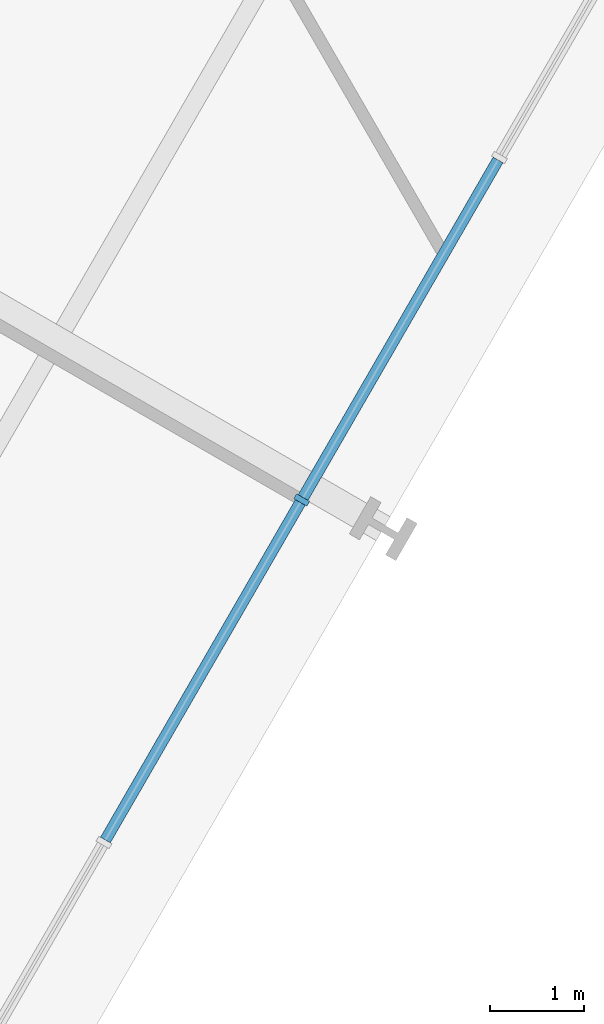
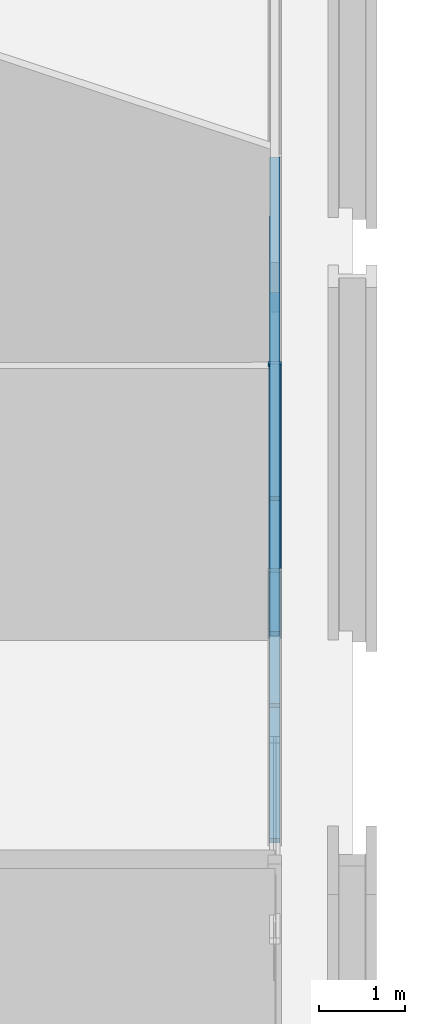
# One storey, part 5 of 20: 7 members, 1 element without a shape of its own.
"""IFC4 building model written with IfcOpenShell, lengths in metres."""

from ifc_helpers import new_model, si_unit, direction, frame, origin, origin_2d, place, context, subcontext, project, spatial, rectangle, extrude, material, layer, layer_set, material_profile, profile_set, type_object, element, aggregate, save


model = new_model("IFC4")

# Units and contexts
model_context = context("Model", 3, precision=1e-05, world=origin(), true_north=direction((0.0, 1.0)))
body_context = subcontext(model_context, "Body", "Model", "MODEL_VIEW")
ifc_project = project(units=[si_unit("LENGTHUNIT", "METRE"), si_unit("AREAUNIT", "SQUARE_METRE"), si_unit("VOLUMEUNIT", "CUBIC_METRE"), si_unit("PLANEANGLEUNIT", "RADIAN"), si_unit("MASSUNIT", "GRAM", prefix="KILO")], contexts=[model_context])

# Site, building, storey
site_placement = place(None, origin())
site = spatial("IfcSite", under=ifc_project, at=site_placement, CompositionType="ELEMENT")
building_placement = place(site_placement, origin())
building = spatial("IfcBuilding", under=site, at=building_placement, Name="Verrane Prism Tower", CompositionType="ELEMENT")
storey_placement = place(building_placement, frame((0.0, 0.0, 17.39990234375)))
storey = spatial("IfcBuildingStorey", under=building, at=storey_placement, Name="L02", CompositionType="ELEMENT", Elevation=17.39990234375)

# Curtain wall, members
ifc_material_1 = material(Name="Aluminium and glass curtain wall", Category="aluminium")
ifc_layer = layer(ifc_material_1, 0.199951171875)
ifc_layer_set = layer_set([ifc_layer], Name="CWB-1 retail curtain wall")
curtain_wall_type = type_object("IfcCurtainWallType", Name="CWB-1 retail curtain wall", PredefinedType="NOTDEFINED", material=ifc_layer_set)
curtain_wall_placement = place(storey_placement, origin())
curtain_wall = element("IfcCurtainWall", 1, at=curtain_wall_placement, inside=storey, type_object=curtain_wall_type, Name="Retail curtain wall L02 6", PredefinedType="NOTDEFINED")
ifc_material_2 = material(Name="Aluminium", Category="aluminium")
ifc_material_profile_1 = material_profile(ifc_material_2, rectangle(XDim=0.159912109375, YDim=0.06005859375, at=origin_2d()), Name="CWB-M 60x160 mullion")
ifc_profile_set_1 = profile_set([ifc_material_profile_1], Name="Aluminium")
member_type_1 = type_object("IfcMemberType", Name="CWB-M 60x160 mullion", PredefinedType="MULLION", material=ifc_profile_set_1)
member_1_placement = place(storey_placement, frame((21.74560546875, -2.87548828125, 0.0), z_axis=(0.0, 0.0, 1.0), x_axis=(-0.866025335097, 0.50000011897, 0.0)))
member_1 = element("IfcMember", 2, at=member_1_placement, type_object=member_type_1, Name="CWB26 mullion 9", PredefinedType="MULLION", context=body_context, shape_type="SweptSolid", body=[
    extrude(rectangle(XDim=0.159912109375, YDim=0.06005859375, at=origin_2d()), origin(), (0.0, 0.0, 1.0), 3.89013671875),
])
ifc_material_3 = material(Name="Aluminium", Category="aluminium")
ifc_material_profile_2 = material_profile(ifc_material_3, rectangle(XDim=0.1201171875, YDim=0.06005859375, at=origin_2d()), Name="CWB-T 60x120 transom")
ifc_profile_set_2 = profile_set([ifc_material_profile_2], Name="Aluminium")
member_type_2 = type_object("IfcMemberType", Name="CWB-T 60x120 transom", PredefinedType="USERDEFINED", material=ifc_profile_set_2)
member_2_placement = place(storey_placement, frame((19.6650390625, -6.479248046875, 0.030029296875), z_axis=(0.499996977546, 0.866027148792, 0.0), x_axis=(-0.866027148792, 0.499996977546, 0.0)))
member_2 = element("IfcMember", 3, at=member_2_placement, type_object=member_type_2, Name="CWB26 transom 8.1", ObjectType="TRANSOM", PredefinedType="USERDEFINED", context=body_context, shape_type="SweptSolid", body=[
    extrude(rectangle(XDim=0.1201171875, YDim=0.06005859375, at=origin_2d()), origin(), (0.0, 0.0, 1.0), 4.13134765625),
])
member_3_placement = place(storey_placement, frame((19.6650390625, -6.479248046875, 1.945068359375), z_axis=(0.499996977546, 0.866027148792, 0.0), x_axis=(-0.866027148792, 0.499996977546, 0.0)))
member_3 = element("IfcMember", 4, at=member_3_placement, type_object=member_type_2, Name="CWB26 transom 8.2", ObjectType="TRANSOM", PredefinedType="USERDEFINED", context=body_context, shape_type="SweptSolid", body=[
    extrude(rectangle(XDim=0.1201171875, YDim=0.06005859375, at=origin_2d()), origin(), (0.0, 0.0, 1.0), 4.13134765625),
])
member_4_placement = place(storey_placement, frame((19.6650390625, -6.479248046875, 3.860107421875), z_axis=(0.499996977546, 0.866027148792, 0.0), x_axis=(-0.866027148792, 0.499996977546, 0.0)))
member_4 = element("IfcMember", 5, at=member_4_placement, type_object=member_type_2, Name="CWB26 transom 8.3", ObjectType="TRANSOM", PredefinedType="USERDEFINED", context=body_context, shape_type="SweptSolid", body=[
    extrude(rectangle(XDim=0.1201171875, YDim=0.06005859375, at=origin_2d()), origin(), (0.0, 0.0, 1.0), 4.13134765625),
])
member_5_placement = place(storey_placement, frame((21.7607421875, -2.849365234375, 0.030029296875), z_axis=(0.500022567122, 0.866012374259, 0.0), x_axis=(-0.866012374259, 0.500022567122, 0.0)))
member_5 = element("IfcMember", 6, at=member_5_placement, type_object=member_type_2, Name="CWB26 transom 9.1", ObjectType="TRANSOM", PredefinedType="USERDEFINED", context=body_context, shape_type="SweptSolid", body=[
    extrude(rectangle(XDim=0.1201171875, YDim=0.06005859375, at=origin_2d()), origin(), (0.0, 0.0, 1.0), 4.131103515625),
])
member_6_placement = place(storey_placement, frame((21.7607421875, -2.849365234375, 1.945068359375), z_axis=(0.500022567122, 0.866012374259, 0.0), x_axis=(-0.866012374259, 0.500022567122, 0.0)))
member_6 = element("IfcMember", 7, at=member_6_placement, type_object=member_type_2, Name="CWB26 transom 9.2", ObjectType="TRANSOM", PredefinedType="USERDEFINED", context=body_context, shape_type="SweptSolid", body=[
    extrude(rectangle(XDim=0.1201171875, YDim=0.06005859375, at=origin_2d()), origin(), (0.0, 0.0, 1.0), 4.131103515625),
])
member_7_placement = place(storey_placement, frame((21.7607421875, -2.849365234375, 3.860107421875), z_axis=(0.500022567122, 0.866012374259, 0.0), x_axis=(-0.866012374259, 0.500022567122, 0.0)))
member_7 = element("IfcMember", 8, at=member_7_placement, type_object=member_type_2, Name="CWB26 transom 9.3", ObjectType="TRANSOM", PredefinedType="USERDEFINED", context=body_context, shape_type="SweptSolid", body=[
    extrude(rectangle(XDim=0.1201171875, YDim=0.06005859375, at=origin_2d()), origin(), (0.0, 0.0, 1.0), 4.131103515625),
])
aggregate(curtain_wall, [member_1, member_2, member_3, member_4, member_5, member_6, member_7])

save(model, "model.ifc")
